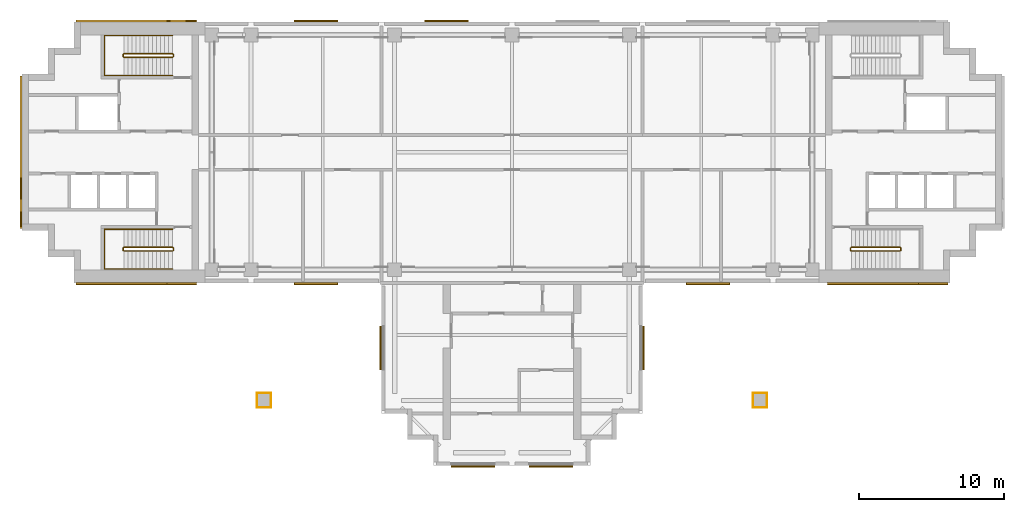
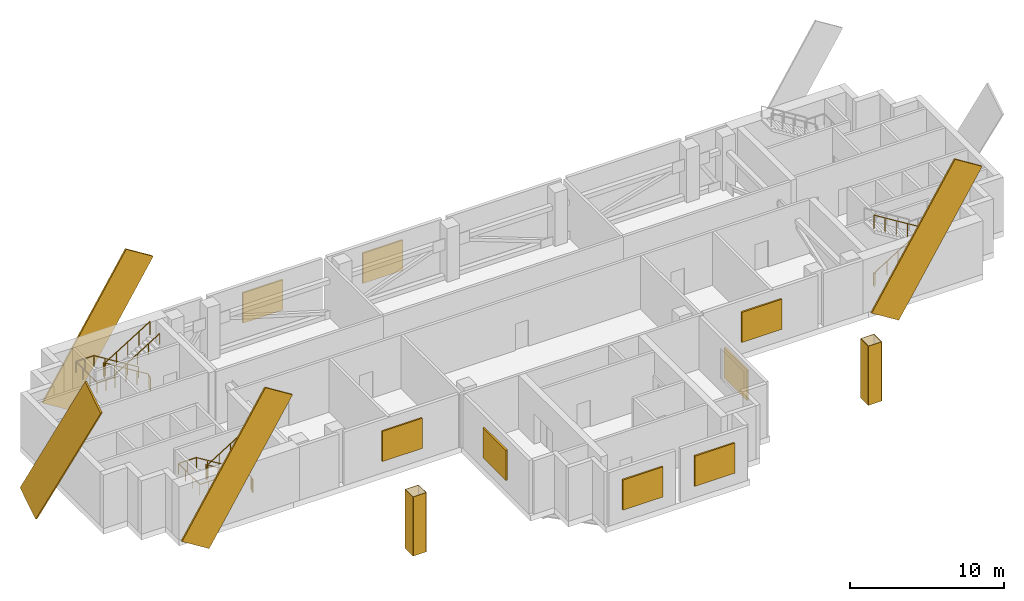
# One storey, part 7 of 8: 12 coverings, 8 shading devices, 5 railings.
"""IFC4 building model written with IfcOpenShell, lengths in metres."""

from ifc_helpers import new_model, si_unit, direction, frame, origin, origin_2d, place, context, subcontext, project, spatial, rectangle, extrude, material, layer, layer_set, material_profile, profile_set, type_object, element, save


model = new_model("IFC4")

# Units and contexts
model_context = context("Model", 3, precision=1e-05, world=origin(), true_north=direction((0.0, 1.0)))
body_context = subcontext(model_context, "Body", "Model", "MODEL_VIEW")
ifc_project = project(units=[si_unit("LENGTHUNIT", "METRE"), si_unit("AREAUNIT", "SQUARE_METRE"), si_unit("VOLUMEUNIT", "CUBIC_METRE"), si_unit("PLANEANGLEUNIT", "RADIAN"), si_unit("MASSUNIT", "GRAM", prefix="KILO")], contexts=[model_context])

# Site, building, storey
site_placement = place(None, origin())
site = spatial("IfcSite", under=ifc_project, at=site_placement, CompositionType="ELEMENT")
building_placement = place(site_placement, origin())
building = spatial("IfcBuilding", under=site, at=building_placement, Name="Perihelion Cross Residences", CompositionType="ELEMENT")
storey_placement = place(building_placement, frame((0.0, 0.0, 228.0)))
storey = spatial("IfcBuildingStorey", under=building, at=storey_placement, Name="L57", CompositionType="ELEMENT", Elevation=228.0)

# Coverings
ifc_material_1 = material(Name="Bronze anodised aluminium", Category="aluminium")
ifc_material_profile = material_profile(ifc_material_1, rectangle(XDim=0.125, YDim=2.39990234375, at=origin_2d()), Name="Bronze cladding band 2400")
ifc_profile_set = profile_set([ifc_material_profile], Name="Bronze anodised aluminium")
covering_type_1 = type_object("IfcCoveringType", Name="Bronze cladding band 2400", PredefinedType="CLADDING", material=ifc_profile_set)
for number, where, z_axis, x_axis, name in (
    (1, (22.767578125, -9.0625, -0.712646484375), (0.529915403603, 0.0, 0.848050508534), (0.0, 1.0, 0.0), "Core cladding band, east core"),
    (2, (-29.0322265625, 9.0625, -0.712646484375), (0.529915403603, 0.0, 0.848050508534), (0.0, 1.0, 0.0), "Core cladding band, west core"),
    (3, (-29.0322265625, -9.0625, -0.712646484375), (0.529915403603, 0.0, 0.848050508534), (0.0, 1.0, 0.0), "Core cladding band, west core"),
):
    element("IfcCovering", number, at=place(storey_placement, frame(where, z_axis=z_axis, x_axis=x_axis)), inside=storey, type_object=covering_type_1, Name=name, PredefinedType="CLADDING", context=body_context, shape_type="SweptSolid", body=[
        extrude(rectangle(XDim=0.125, YDim=2.39990234375, at=origin_2d()), origin(), (0.0, 0.0, 1.0), 11.822021484375),
    ])
covering_1_placement = place(storey_placement, frame((-33.862548828125, 4.232421875, -3.79248046875), z_axis=(0.0, -0.529931619435, 0.848040375644), x_axis=(1.0, 0.0, 0.0)))
element("IfcCovering", 4, at=covering_1_placement, inside=storey, type_object=covering_type_1, Name="Core cladding band, west core", PredefinedType="CLADDING", context=body_context, shape_type="SweptSolid", body=[
    extrude(rectangle(XDim=0.125, YDim=2.39990234375, at=origin_2d()), origin(), (0.0, 0.0, 1.0), 15.973388671875),
])
ifc_material_2 = material(Name="Bronze anodised aluminium", Category="aluminium")
ifc_layer_1 = layer(ifc_material_2, 0.0400390625)
ifc_layer_set_1 = layer_set([ifc_layer_1], Name="Bronze column casing 40")
covering_type_2 = type_object("IfcCoveringType", Name="Bronze column casing 40", PredefinedType="CLADDING", material=ifc_layer_set_1)
covering_2_placement = place(storey_placement, frame((-17.594970703125, -17.10009765625, -0.4501953125), z_axis=(0.0, 0.0, 1.0), x_axis=(1.0, 0.0, 0.0)))
element("IfcCovering", 5, at=covering_2_placement, inside=storey, type_object=covering_type_2, Name="Cladding CC1 L57 casing east-west no. 1", PredefinedType="CLADDING", context=body_context, shape_type="SweptSolid", body=[
    extrude(rectangle(XDim=0.0400390625, YDim=1.030029296875, at=origin_2d()), origin(), (0.0, 0.0, 1.0), 4.699951171875),
])
covering_3_placement = place(storey_placement, frame((-17.10009765625, -17.594970703125, -0.4501953125), z_axis=(0.0, 0.0, 1.0), x_axis=(1.0, 0.0, 0.0)))
element("IfcCovering", 6, at=covering_3_placement, inside=storey, type_object=covering_type_2, Name="Cladding CC1 L57 casing north-south no. 1", PredefinedType="CLADDING", context=body_context, shape_type="SweptSolid", body=[
    extrude(rectangle(XDim=0.949951171875, YDim=0.0400390625, at=origin_2d()), origin(), (0.0, 0.0, 1.0), 4.699951171875),
])
covering_4_placement = place(storey_placement, frame((-16.60498046875, -17.10009765625, -0.4501953125), z_axis=(0.0, 0.0, 1.0), x_axis=(1.0, 0.0, 0.0)))
element("IfcCovering", 7, at=covering_4_placement, inside=storey, type_object=covering_type_2, Name="Cladding CC1 L57 casing inner east-west no. 1", PredefinedType="CLADDING", context=body_context, shape_type="SweptSolid", body=[
    extrude(rectangle(XDim=0.0400390625, YDim=1.030029296875, at=origin_2d()), origin(), (0.0, 0.0, 1.0), 4.699951171875),
])
covering_5_placement = place(storey_placement, frame((-17.10009765625, -16.60498046875, -0.4501953125), z_axis=(0.0, 0.0, 1.0), x_axis=(1.0, 0.0, 0.0)))
element("IfcCovering", 8, at=covering_5_placement, inside=storey, type_object=covering_type_2, Name="Cladding CC1 L57 casing inner north-south no. 1", PredefinedType="CLADDING", context=body_context, shape_type="SweptSolid", body=[
    extrude(rectangle(XDim=0.949951171875, YDim=0.0400390625, at=origin_2d()), origin(), (0.0, 0.0, 1.0), 4.699951171875),
])
covering_6_placement = place(storey_placement, frame((17.594970703125, -17.10009765625, -0.4501953125), z_axis=(0.0, 0.0, 1.0), x_axis=(1.0, 0.0, 0.0)))
element("IfcCovering", 9, at=covering_6_placement, inside=storey, type_object=covering_type_2, Name="Cladding CC1 L57 casing east-west no. 2", PredefinedType="CLADDING", context=body_context, shape_type="SweptSolid", body=[
    extrude(rectangle(XDim=0.0400390625, YDim=1.030029296875, at=origin_2d()), origin(), (0.0, 0.0, 1.0), 4.699951171875),
])
covering_7_placement = place(storey_placement, frame((17.10009765625, -17.594970703125, -0.4501953125), z_axis=(0.0, 0.0, 1.0), x_axis=(1.0, 0.0, 0.0)))
element("IfcCovering", 10, at=covering_7_placement, inside=storey, type_object=covering_type_2, Name="Cladding CC1 L57 casing north-south no. 2", PredefinedType="CLADDING", context=body_context, shape_type="SweptSolid", body=[
    extrude(rectangle(XDim=0.949951171875, YDim=0.0400390625, at=origin_2d()), origin(), (0.0, 0.0, 1.0), 4.699951171875),
])
covering_8_placement = place(storey_placement, frame((16.60498046875, -17.10009765625, -0.4501953125), z_axis=(0.0, 0.0, 1.0), x_axis=(1.0, 0.0, 0.0)))
element("IfcCovering", 11, at=covering_8_placement, inside=storey, type_object=covering_type_2, Name="Cladding CC1 L57 casing inner east-west no. 2", PredefinedType="CLADDING", context=body_context, shape_type="SweptSolid", body=[
    extrude(rectangle(XDim=0.0400390625, YDim=1.030029296875, at=origin_2d()), origin(), (0.0, 0.0, 1.0), 4.699951171875),
])
covering_9_placement = place(storey_placement, frame((17.10009765625, -16.60498046875, -0.4501953125), z_axis=(0.0, 0.0, 1.0), x_axis=(1.0, 0.0, 0.0)))
element("IfcCovering", 12, at=covering_9_placement, inside=storey, type_object=covering_type_2, Name="Cladding CC1 L57 casing inner north-south no. 2", PredefinedType="CLADDING", context=body_context, shape_type="SweptSolid", body=[
    extrude(rectangle(XDim=0.949951171875, YDim=0.0400390625, at=origin_2d()), origin(), (0.0, 0.0, 1.0), 4.699951171875),
])

# Shading devices
ifc_material_3 = material(Name="Bronze anodised aluminium", Category="aluminium")
ifc_layer_2 = layer(ifc_material_3, 0.1201171875)
ifc_layer_set_2 = layer_set([ifc_layer_2], Name="Louvre panel")
shading_device_type = type_object("IfcShadingDeviceType", Name="Louvre panel", PredefinedType="USERDEFINED", material=ifc_layer_set_2)
for number, where, z_axis, x_axis, name in (
    (13, (-4.5, 9.06005859375, 1.0), (0.0, 0.0, 1.0), (-1.0, 0.0, 0.0), "Louvre LV1 L57 north side east bay 2"),
    (14, (-13.5, 9.06005859375, 1.0), (0.0, 0.0, 1.0), (-1.0, 0.0, 0.0), "Louvre LV1 L57 west side north bay 1"),
    (15, (-13.5, -9.06005859375, 1.0), (0.0, 0.0, 1.0), (1.0, 0.0, 0.0), "Louvre LV1 L57 west side south bay 2"),
    (16, (-9.06005859375, -13.5, 1.0), (0.0, 0.0, 1.0), (0.0, -1.0, 0.0), "Louvre LV1 L57 south side west bay 1"),
    (17, (-2.699951171875, -21.659912109375, 1.0), (0.0, 0.0, 1.0), (1.0, 0.0, 0.0), "Louvre LV1 L57 south tip south bay 1"),
    (18, (2.699951171875, -21.659912109375, 1.0), (0.0, 0.0, 1.0), (1.0, 0.0, 0.0), "Louvre LV1 L57 south tip south bay 2"),
    (19, (9.06005859375, -13.5, 1.0), (0.0, 0.0, 1.0), (0.0, 1.0, 0.0), "Louvre LV1 L57 south side east bay 1"),
    (20, (13.5, -9.06005859375, 1.0), (0.0, 0.0, 1.0), (1.0, 0.0, 0.0), "Louvre LV1 L57 east side south bay 1"),
):
    element("IfcShadingDevice", number, at=place(storey_placement, frame(where, z_axis=z_axis, x_axis=x_axis)), inside=storey, type_object=shading_device_type, Name=name, ObjectType="LOUVRE", PredefinedType="USERDEFINED", context=body_context, shape_type="SweptSolid", body=[
        extrude(rectangle(XDim=3.0, YDim=0.1201171875, at=origin_2d()), origin(), (0.0, 0.0, 1.0), 2.39990234375),
    ])

# Railings
ifc_material_4 = material(Name="Stainless steel", Category="steel")
railing_type_1 = type_object("IfcRailingType", Name="Stair guard 1100", PredefinedType="GUARDRAIL", material=ifc_material_4)
railing_1_placement = place(storey_placement, frame((23.35009765625, -6.60009765625, 0.0)))
element("IfcRailing", 21, at=railing_1_placement, inside=storey, type_object=railing_type_1, Name="L57 ST-E2 stair guard 1", PredefinedType="GUARDRAIL", context=body_context, shape_type="SweptSolid", body=[
    extrude(rectangle(XDim=0.048095703125, YDim=0.048095703125, at=origin_2d()), frame((0.0, 0.0, 1.076171875), z_axis=(0.0, -1.0, 0.0), x_axis=(1.0, 0.0, 0.0)), (0.0, 0.0, 1.0), 0.14990234375),
    extrude(rectangle(XDim=0.048095703125, YDim=0.048095703125, at=origin_2d()), frame((0.0, -0.14990234375, 1.076171875), z_axis=(0.266417085129, -0.267723051232, 0.925929967433), x_axis=(0.708833529934, 0.705375805398, 0.0)), (0.0, 0.0, 1.0), 0.18701171875),
    extrude(rectangle(XDim=0.048095703125, YDim=0.048095703125, at=origin_2d()), frame((0.0498046875, -0.199951171875, 1.2490234375), z_axis=(0.850623216509, 0.0, 0.525775754039), x_axis=(0.0, 1.0, 0.0)), (0.0, 0.0, 1.0), 3.9501953125),
    extrude(rectangle(XDim=0.048095703125, YDim=0.048095703125, at=origin_2d()), frame((3.409912109375, -0.199951171875, 3.326171875), z_axis=(0.707106781187, 0.707106781187, 0.0), x_axis=(-0.707106781187, 0.707106781187, 0.0)), (0.0, 0.0, 1.0), 0.07080078125),
    extrude(rectangle(XDim=0.048095703125, YDim=0.048095703125, at=origin_2d()), frame((3.4599609375, -0.14990234375, 3.326171875), z_axis=(0.0, 1.0, 0.0), x_axis=(-1.0, 0.0, 0.0)), (0.0, 0.0, 1.0), 0.14990234375),
    extrude(rectangle(XDim=0.048095703125, YDim=0.048095703125, at=origin_2d()), frame((3.4599609375, 0.0, 3.326171875), z_axis=(-0.267629722418, 0.267629722418, 0.925607186314), x_axis=(-0.707106781187, -0.707106781187, 0.0)), (0.0, 0.0, 1.0), 0.18701171875),
    extrude(rectangle(XDim=0.048095703125, YDim=0.048095703125, at=origin_2d()), frame((3.409912109375, 0.050048828125, 3.4990234375), z_axis=(-0.850623216509, 0.0, 0.525775754039), x_axis=(0.0, -1.0, 0.0)), (0.0, 0.0, 1.0), 3.9501953125),
    extrude(rectangle(XDim=0.0419921875, YDim=0.0419921875, at=origin_2d()), origin(), (0.0, 0.0, 1.0), 1.052001953125),
    extrude(rectangle(XDim=0.0419921875, YDim=0.0419921875, at=origin_2d()), frame((0.0, -0.14990234375, 0.0)), (0.0, 0.0, 1.0), 1.052001953125),
    extrude(rectangle(XDim=0.0419921875, YDim=0.0419921875, at=origin_2d()), frame((0.0498046875, -0.199951171875, 0.173095703125)), (0.0, 0.0, 1.0), 1.052001953125),
    extrude(rectangle(XDim=0.0419921875, YDim=0.0419921875, at=origin_2d()), frame((0.889892578125, -0.199951171875, 0.6923828125)), (0.0, 0.0, 1.0), 1.052001953125),
    extrude(rectangle(XDim=0.0419921875, YDim=0.0419921875, at=origin_2d()), frame((1.72998046875, -0.199951171875, 1.21142578125)), (0.0, 0.0, 1.0), 1.052001953125),
    extrude(rectangle(XDim=0.0419921875, YDim=0.0419921875, at=origin_2d()), frame((2.56982421875, -0.199951171875, 1.730712890625)), (0.0, 0.0, 1.0), 1.052001953125),
    extrude(rectangle(XDim=0.0419921875, YDim=0.0419921875, at=origin_2d()), frame((3.409912109375, -0.199951171875, 2.25)), (0.0, 0.0, 1.0), 1.052001953125),
    extrude(rectangle(XDim=0.0419921875, YDim=0.0419921875, at=origin_2d()), frame((3.4599609375, -0.14990234375, 2.25)), (0.0, 0.0, 1.0), 1.052001953125),
    extrude(rectangle(XDim=0.0419921875, YDim=0.0419921875, at=origin_2d()), frame((3.4599609375, 0.0, 2.25)), (0.0, 0.0, 1.0), 1.052001953125),
    extrude(rectangle(XDim=0.0419921875, YDim=0.0419921875, at=origin_2d()), frame((3.409912109375, 0.050048828125, 2.423095703125)), (0.0, 0.0, 1.0), 1.052001953125),
    extrude(rectangle(XDim=0.0419921875, YDim=0.0419921875, at=origin_2d()), frame((2.56982421875, 0.050048828125, 2.9423828125)), (0.0, 0.0, 1.0), 1.052001953125),
    extrude(rectangle(XDim=0.0419921875, YDim=0.0419921875, at=origin_2d()), frame((1.72998046875, 0.050048828125, 3.46142578125)), (0.0, 0.0, 1.0), 1.052001953125),
    extrude(rectangle(XDim=0.0419921875, YDim=0.0419921875, at=origin_2d()), frame((0.889892578125, 0.050048828125, 3.980712890625)), (0.0, 0.0, 1.0), 1.052001953125),
    extrude(rectangle(XDim=0.0419921875, YDim=0.0419921875, at=origin_2d()), frame((0.0498046875, 0.050048828125, 4.5)), (0.0, 0.0, 1.0), 1.052001953125),
])
railing_2_placement = place(storey_placement, frame((-23.35009765625, 6.60009765625, 0.0)))
element("IfcRailing", 22, at=railing_2_placement, inside=storey, type_object=railing_type_1, Name="L57 ST-W1 stair guard 1", PredefinedType="GUARDRAIL", context=body_context, shape_type="SweptSolid", body=[
    extrude(rectangle(XDim=0.048095703125, YDim=0.048095703125, at=origin_2d()), frame((0.0, 0.0, 1.076171875), z_axis=(0.0, 1.0, 0.0), x_axis=(-1.0, 0.0, 0.0)), (0.0, 0.0, 1.0), 0.14990234375),
    extrude(rectangle(XDim=0.048095703125, YDim=0.048095703125, at=origin_2d()), frame((0.0, 0.14990234375, 1.076171875), z_axis=(-0.266417085129, 0.267723051232, 0.925929967433), x_axis=(-0.708833529934, -0.705375805398, 0.0)), (0.0, 0.0, 1.0), 0.18701171875),
    extrude(rectangle(XDim=0.048095703125, YDim=0.048095703125, at=origin_2d()), frame((-0.0498046875, 0.199951171875, 1.2490234375), z_axis=(-0.850623216509, 0.0, 0.525775754039), x_axis=(0.0, -1.0, 0.0)), (0.0, 0.0, 1.0), 3.9501953125),
    extrude(rectangle(XDim=0.048095703125, YDim=0.048095703125, at=origin_2d()), frame((-3.409912109375, 0.199951171875, 3.326171875), z_axis=(-0.707106781187, -0.707106781187, 0.0), x_axis=(0.707106781187, -0.707106781187, 0.0)), (0.0, 0.0, 1.0), 0.07080078125),
    extrude(rectangle(XDim=0.048095703125, YDim=0.048095703125, at=origin_2d()), frame((-3.4599609375, 0.14990234375, 3.326171875), z_axis=(0.0, -1.0, 0.0), x_axis=(1.0, 0.0, 0.0)), (0.0, 0.0, 1.0), 0.14990234375),
    extrude(rectangle(XDim=0.048095703125, YDim=0.048095703125, at=origin_2d()), frame((-3.4599609375, 0.0, 3.326171875), z_axis=(0.267629722418, -0.267629722418, 0.925607186314), x_axis=(0.707106781187, 0.707106781187, 0.0)), (0.0, 0.0, 1.0), 0.18701171875),
    extrude(rectangle(XDim=0.048095703125, YDim=0.048095703125, at=origin_2d()), frame((-3.409912109375, -0.050048828125, 3.4990234375), z_axis=(0.850623216509, 0.0, 0.525775754039), x_axis=(0.0, 1.0, 0.0)), (0.0, 0.0, 1.0), 3.9501953125),
    extrude(rectangle(XDim=0.0419921875, YDim=0.0419921875, at=origin_2d()), origin(), (0.0, 0.0, 1.0), 1.052001953125),
    extrude(rectangle(XDim=0.0419921875, YDim=0.0419921875, at=origin_2d()), frame((0.0, 0.14990234375, 0.0)), (0.0, 0.0, 1.0), 1.052001953125),
    extrude(rectangle(XDim=0.0419921875, YDim=0.0419921875, at=origin_2d()), frame((-0.0498046875, 0.199951171875, 0.173095703125)), (0.0, 0.0, 1.0), 1.052001953125),
    extrude(rectangle(XDim=0.0419921875, YDim=0.0419921875, at=origin_2d()), frame((-0.889892578125, 0.199951171875, 0.6923828125)), (0.0, 0.0, 1.0), 1.052001953125),
    extrude(rectangle(XDim=0.0419921875, YDim=0.0419921875, at=origin_2d()), frame((-1.72998046875, 0.199951171875, 1.21142578125)), (0.0, 0.0, 1.0), 1.052001953125),
    extrude(rectangle(XDim=0.0419921875, YDim=0.0419921875, at=origin_2d()), frame((-2.56982421875, 0.199951171875, 1.730712890625)), (0.0, 0.0, 1.0), 1.052001953125),
    extrude(rectangle(XDim=0.0419921875, YDim=0.0419921875, at=origin_2d()), frame((-3.409912109375, 0.199951171875, 2.25)), (0.0, 0.0, 1.0), 1.052001953125),
    extrude(rectangle(XDim=0.0419921875, YDim=0.0419921875, at=origin_2d()), frame((-3.4599609375, 0.14990234375, 2.25)), (0.0, 0.0, 1.0), 1.052001953125),
    extrude(rectangle(XDim=0.0419921875, YDim=0.0419921875, at=origin_2d()), frame((-3.4599609375, 0.0, 2.25)), (0.0, 0.0, 1.0), 1.052001953125),
    extrude(rectangle(XDim=0.0419921875, YDim=0.0419921875, at=origin_2d()), frame((-3.409912109375, -0.050048828125, 2.423095703125)), (0.0, 0.0, 1.0), 1.052001953125),
    extrude(rectangle(XDim=0.0419921875, YDim=0.0419921875, at=origin_2d()), frame((-2.56982421875, -0.050048828125, 2.9423828125)), (0.0, 0.0, 1.0), 1.052001953125),
    extrude(rectangle(XDim=0.0419921875, YDim=0.0419921875, at=origin_2d()), frame((-1.72998046875, -0.050048828125, 3.46142578125)), (0.0, 0.0, 1.0), 1.052001953125),
    extrude(rectangle(XDim=0.0419921875, YDim=0.0419921875, at=origin_2d()), frame((-0.889892578125, -0.050048828125, 3.980712890625)), (0.0, 0.0, 1.0), 1.052001953125),
    extrude(rectangle(XDim=0.0419921875, YDim=0.0419921875, at=origin_2d()), frame((-0.0498046875, -0.050048828125, 4.5)), (0.0, 0.0, 1.0), 1.052001953125),
])
railing_3_placement = place(storey_placement, frame((-23.35009765625, -6.75, 0.0)))
element("IfcRailing", 23, at=railing_3_placement, inside=storey, type_object=railing_type_1, Name="L57 ST-W2 stair guard 1", PredefinedType="GUARDRAIL", context=body_context, shape_type="SweptSolid", body=[
    extrude(rectangle(XDim=0.048095703125, YDim=0.048095703125, at=origin_2d()), frame((0.0, 0.0, 1.076171875), z_axis=(0.0, 1.0, 0.0), x_axis=(-1.0, 0.0, 0.0)), (0.0, 0.0, 1.0), 0.14990234375),
    extrude(rectangle(XDim=0.048095703125, YDim=0.048095703125, at=origin_2d()), frame((0.0, 0.14990234375, 1.076171875), z_axis=(-0.266417085129, 0.267723051232, 0.925929967433), x_axis=(-0.708833529934, -0.705375805398, 0.0)), (0.0, 0.0, 1.0), 0.18701171875),
    extrude(rectangle(XDim=0.048095703125, YDim=0.048095703125, at=origin_2d()), frame((-0.0498046875, 0.199951171875, 1.2490234375), z_axis=(-0.850623216509, 0.0, 0.525775754039), x_axis=(0.0, -1.0, 0.0)), (0.0, 0.0, 1.0), 3.9501953125),
    extrude(rectangle(XDim=0.048095703125, YDim=0.048095703125, at=origin_2d()), frame((-3.409912109375, 0.199951171875, 3.326171875), z_axis=(-0.707106781187, -0.707106781187, 0.0), x_axis=(0.707106781187, -0.707106781187, 0.0)), (0.0, 0.0, 1.0), 0.07080078125),
    extrude(rectangle(XDim=0.048095703125, YDim=0.048095703125, at=origin_2d()), frame((-3.4599609375, 0.14990234375, 3.326171875), z_axis=(0.0, -1.0, 0.0), x_axis=(1.0, 0.0, 0.0)), (0.0, 0.0, 1.0), 0.14990234375),
    extrude(rectangle(XDim=0.048095703125, YDim=0.048095703125, at=origin_2d()), frame((-3.4599609375, 0.0, 3.326171875), z_axis=(0.267629722418, -0.267629722418, 0.925607186314), x_axis=(0.707106781187, 0.707106781187, 0.0)), (0.0, 0.0, 1.0), 0.18701171875),
    extrude(rectangle(XDim=0.048095703125, YDim=0.048095703125, at=origin_2d()), frame((-3.409912109375, -0.050048828125, 3.4990234375), z_axis=(0.850623216509, 0.0, 0.525775754039), x_axis=(0.0, 1.0, 0.0)), (0.0, 0.0, 1.0), 3.9501953125),
    extrude(rectangle(XDim=0.0419921875, YDim=0.0419921875, at=origin_2d()), origin(), (0.0, 0.0, 1.0), 1.052001953125),
    extrude(rectangle(XDim=0.0419921875, YDim=0.0419921875, at=origin_2d()), frame((0.0, 0.14990234375, 0.0)), (0.0, 0.0, 1.0), 1.052001953125),
    extrude(rectangle(XDim=0.0419921875, YDim=0.0419921875, at=origin_2d()), frame((-0.0498046875, 0.199951171875, 0.173095703125)), (0.0, 0.0, 1.0), 1.052001953125),
    extrude(rectangle(XDim=0.0419921875, YDim=0.0419921875, at=origin_2d()), frame((-0.889892578125, 0.199951171875, 0.6923828125)), (0.0, 0.0, 1.0), 1.052001953125),
    extrude(rectangle(XDim=0.0419921875, YDim=0.0419921875, at=origin_2d()), frame((-1.72998046875, 0.199951171875, 1.21142578125)), (0.0, 0.0, 1.0), 1.052001953125),
    extrude(rectangle(XDim=0.0419921875, YDim=0.0419921875, at=origin_2d()), frame((-2.56982421875, 0.199951171875, 1.730712890625)), (0.0, 0.0, 1.0), 1.052001953125),
    extrude(rectangle(XDim=0.0419921875, YDim=0.0419921875, at=origin_2d()), frame((-3.409912109375, 0.199951171875, 2.25)), (0.0, 0.0, 1.0), 1.052001953125),
    extrude(rectangle(XDim=0.0419921875, YDim=0.0419921875, at=origin_2d()), frame((-3.4599609375, 0.14990234375, 2.25)), (0.0, 0.0, 1.0), 1.052001953125),
    extrude(rectangle(XDim=0.0419921875, YDim=0.0419921875, at=origin_2d()), frame((-3.4599609375, 0.0, 2.25)), (0.0, 0.0, 1.0), 1.052001953125),
    extrude(rectangle(XDim=0.0419921875, YDim=0.0419921875, at=origin_2d()), frame((-3.409912109375, -0.050048828125, 2.423095703125)), (0.0, 0.0, 1.0), 1.052001953125),
    extrude(rectangle(XDim=0.0419921875, YDim=0.0419921875, at=origin_2d()), frame((-2.56982421875, -0.050048828125, 2.9423828125)), (0.0, 0.0, 1.0), 1.052001953125),
    extrude(rectangle(XDim=0.0419921875, YDim=0.0419921875, at=origin_2d()), frame((-1.72998046875, -0.050048828125, 3.46142578125)), (0.0, 0.0, 1.0), 1.052001953125),
    extrude(rectangle(XDim=0.0419921875, YDim=0.0419921875, at=origin_2d()), frame((-0.889892578125, -0.050048828125, 3.980712890625)), (0.0, 0.0, 1.0), 1.052001953125),
    extrude(rectangle(XDim=0.0419921875, YDim=0.0419921875, at=origin_2d()), frame((-0.0498046875, -0.050048828125, 4.5)), (0.0, 0.0, 1.0), 1.052001953125),
])
ifc_material_5 = material(Name="Stainless steel", Category="steel")
railing_type_2 = type_object("IfcRailingType", Name="Stair handrail 900", PredefinedType="HANDRAIL", material=ifc_material_5)
railing_4_placement = place(storey_placement, frame((-23.39990234375, 8.050048828125, 0.173095703125)))
element("IfcRailing", 24, at=railing_4_placement, inside=storey, type_object=railing_type_2, Name="L57 ST-W1 stair handrail 1", PredefinedType="HANDRAIL", context=body_context, shape_type="SweptSolid", body=[
    extrude(rectangle(XDim=0.048095703125, YDim=0.048095703125, at=origin_2d()), frame((0.0, 0.0, 0.8759765625), z_axis=(-0.850623216509, 0.0, 0.525775754039), x_axis=(0.0, -1.0, 0.0)), (0.0, 0.0, 1.0), 3.9501953125),
    extrude(rectangle(XDim=0.048095703125, YDim=0.048095703125, at=origin_2d()), frame((-3.360107421875, 0.0, 2.95263671875), z_axis=(-1.0, 0.0, 0.0), x_axis=(0.0, -1.0, 0.0)), (0.0, 0.0, 1.0), 1.340087890625),
    extrude(rectangle(XDim=0.048095703125, YDim=0.048095703125, at=origin_2d()), frame((-4.7001953125, 0.0, 2.95263671875), z_axis=(0.0, -1.0, 0.0), x_axis=(1.0, 0.0, 0.0)), (0.0, 0.0, 1.0), 2.75),
    extrude(rectangle(XDim=0.048095703125, YDim=0.048095703125, at=origin_2d()), frame((-4.7001953125, -2.75, 2.95263671875), z_axis=(1.0, 0.0, 0.0), x_axis=(0.0, 1.0, 0.0)), (0.0, 0.0, 1.0), 1.340087890625),
    extrude(rectangle(XDim=0.048095703125, YDim=0.048095703125, at=origin_2d()), frame((-3.360107421875, -2.75, 2.95263671875), z_axis=(0.0, 0.0, 1.0), x_axis=(1.0, 0.0, 0.0)), (0.0, 0.0, 1.0), 0.173095703125),
    extrude(rectangle(XDim=0.048095703125, YDim=0.048095703125, at=origin_2d()), frame((-3.360107421875, -2.75, 3.1259765625), z_axis=(0.850623216509, 0.0, 0.525775754039), x_axis=(0.0, 1.0, 0.0)), (0.0, 0.0, 1.0), 3.9501953125),
    extrude(rectangle(XDim=0.0419921875, YDim=0.0419921875, at=origin_2d()), origin(), (0.0, 0.0, 1.0), 0.851806640625),
    extrude(rectangle(XDim=0.0419921875, YDim=0.0419921875, at=origin_2d()), frame((-0.840087890625, 0.0, 0.519287109375)), (0.0, 0.0, 1.0), 0.851806640625),
    extrude(rectangle(XDim=0.0419921875, YDim=0.0419921875, at=origin_2d()), frame((-1.68017578125, 0.0, 1.03857421875)), (0.0, 0.0, 1.0), 0.851806640625),
    extrude(rectangle(XDim=0.0419921875, YDim=0.0419921875, at=origin_2d()), frame((-2.52001953125, 0.0, 1.5576171875)), (0.0, 0.0, 1.0), 0.851806640625),
    extrude(rectangle(XDim=0.0419921875, YDim=0.0419921875, at=origin_2d()), frame((-3.360107421875, 0.0, 2.076904296875)), (0.0, 0.0, 1.0), 0.851806640625),
    extrude(rectangle(XDim=0.0419921875, YDim=0.0419921875, at=origin_2d()), frame((-4.0302734375, 0.0, 2.076904296875)), (0.0, 0.0, 1.0), 0.851806640625),
    extrude(rectangle(XDim=0.0419921875, YDim=0.0419921875, at=origin_2d()), frame((-4.7001953125, 0.0, 2.076904296875)), (0.0, 0.0, 1.0), 0.851806640625),
    extrude(rectangle(XDim=0.0419921875, YDim=0.0419921875, at=origin_2d()), frame((-4.7001953125, -0.916748046875, 2.076904296875)), (0.0, 0.0, 1.0), 0.851806640625),
    extrude(rectangle(XDim=0.0419921875, YDim=0.0419921875, at=origin_2d()), frame((-4.7001953125, -1.833251953125, 2.076904296875)), (0.0, 0.0, 1.0), 0.851806640625),
    extrude(rectangle(XDim=0.0419921875, YDim=0.0419921875, at=origin_2d()), frame((-4.7001953125, -2.75, 2.076904296875)), (0.0, 0.0, 1.0), 0.851806640625),
    extrude(rectangle(XDim=0.0419921875, YDim=0.0419921875, at=origin_2d()), frame((-4.0302734375, -2.75, 2.076904296875)), (0.0, 0.0, 1.0), 0.851806640625),
    extrude(rectangle(XDim=0.0419921875, YDim=0.0419921875, at=origin_2d()), frame((-3.360107421875, -2.75, 2.076904296875)), (0.0, 0.0, 1.0), 0.851806640625),
    extrude(rectangle(XDim=0.0419921875, YDim=0.0419921875, at=origin_2d()), frame((-3.360107421875, -2.75, 2.25)), (0.0, 0.0, 1.0), 0.851806640625),
    extrude(rectangle(XDim=0.0419921875, YDim=0.0419921875, at=origin_2d()), frame((-2.52001953125, -2.75, 2.769287109375)), (0.0, 0.0, 1.0), 0.851806640625),
    extrude(rectangle(XDim=0.0419921875, YDim=0.0419921875, at=origin_2d()), frame((-1.68017578125, -2.75, 3.28857421875)), (0.0, 0.0, 1.0), 0.851806640625),
    extrude(rectangle(XDim=0.0419921875, YDim=0.0419921875, at=origin_2d()), frame((-0.840087890625, -2.75, 3.8076171875)), (0.0, 0.0, 1.0), 0.851806640625),
    extrude(rectangle(XDim=0.0419921875, YDim=0.0419921875, at=origin_2d()), frame((0.0, -2.75, 4.326904296875)), (0.0, 0.0, 1.0), 0.851806640625),
])
railing_5_placement = place(storey_placement, frame((-23.39990234375, -5.300048828125, 0.173095703125)))
element("IfcRailing", 25, at=railing_5_placement, inside=storey, type_object=railing_type_2, Name="L57 ST-W2 stair handrail 1", PredefinedType="HANDRAIL", context=body_context, shape_type="SweptSolid", body=[
    extrude(rectangle(XDim=0.048095703125, YDim=0.048095703125, at=origin_2d()), frame((0.0, 0.0, 0.8759765625), z_axis=(-0.850623216509, 0.0, 0.525775754039), x_axis=(0.0, -1.0, 0.0)), (0.0, 0.0, 1.0), 3.9501953125),
    extrude(rectangle(XDim=0.048095703125, YDim=0.048095703125, at=origin_2d()), frame((-3.360107421875, 0.0, 2.95263671875), z_axis=(-1.0, 0.0, 0.0), x_axis=(0.0, -1.0, 0.0)), (0.0, 0.0, 1.0), 1.340087890625),
    extrude(rectangle(XDim=0.048095703125, YDim=0.048095703125, at=origin_2d()), frame((-4.7001953125, 0.0, 2.95263671875), z_axis=(0.0, -1.0, 0.0), x_axis=(1.0, 0.0, 0.0)), (0.0, 0.0, 1.0), 2.75),
    extrude(rectangle(XDim=0.048095703125, YDim=0.048095703125, at=origin_2d()), frame((-4.7001953125, -2.75, 2.95263671875), z_axis=(1.0, 0.0, 0.0), x_axis=(0.0, 1.0, 0.0)), (0.0, 0.0, 1.0), 1.340087890625),
    extrude(rectangle(XDim=0.048095703125, YDim=0.048095703125, at=origin_2d()), frame((-3.360107421875, -2.75, 2.95263671875), z_axis=(0.0, 0.0, 1.0), x_axis=(1.0, 0.0, 0.0)), (0.0, 0.0, 1.0), 0.173095703125),
    extrude(rectangle(XDim=0.048095703125, YDim=0.048095703125, at=origin_2d()), frame((-3.360107421875, -2.75, 3.1259765625), z_axis=(0.850623216509, 0.0, 0.525775754039), x_axis=(0.0, 1.0, 0.0)), (0.0, 0.0, 1.0), 3.9501953125),
    extrude(rectangle(XDim=0.0419921875, YDim=0.0419921875, at=origin_2d()), origin(), (0.0, 0.0, 1.0), 0.851806640625),
    extrude(rectangle(XDim=0.0419921875, YDim=0.0419921875, at=origin_2d()), frame((-0.840087890625, 0.0, 0.519287109375)), (0.0, 0.0, 1.0), 0.851806640625),
    extrude(rectangle(XDim=0.0419921875, YDim=0.0419921875, at=origin_2d()), frame((-1.68017578125, 0.0, 1.03857421875)), (0.0, 0.0, 1.0), 0.851806640625),
    extrude(rectangle(XDim=0.0419921875, YDim=0.0419921875, at=origin_2d()), frame((-2.52001953125, 0.0, 1.5576171875)), (0.0, 0.0, 1.0), 0.851806640625),
    extrude(rectangle(XDim=0.0419921875, YDim=0.0419921875, at=origin_2d()), frame((-3.360107421875, 0.0, 2.076904296875)), (0.0, 0.0, 1.0), 0.851806640625),
    extrude(rectangle(XDim=0.0419921875, YDim=0.0419921875, at=origin_2d()), frame((-4.0302734375, 0.0, 2.076904296875)), (0.0, 0.0, 1.0), 0.851806640625),
    extrude(rectangle(XDim=0.0419921875, YDim=0.0419921875, at=origin_2d()), frame((-4.7001953125, 0.0, 2.076904296875)), (0.0, 0.0, 1.0), 0.851806640625),
    extrude(rectangle(XDim=0.0419921875, YDim=0.0419921875, at=origin_2d()), frame((-4.7001953125, -0.916748046875, 2.076904296875)), (0.0, 0.0, 1.0), 0.851806640625),
    extrude(rectangle(XDim=0.0419921875, YDim=0.0419921875, at=origin_2d()), frame((-4.7001953125, -1.833251953125, 2.076904296875)), (0.0, 0.0, 1.0), 0.851806640625),
    extrude(rectangle(XDim=0.0419921875, YDim=0.0419921875, at=origin_2d()), frame((-4.7001953125, -2.75, 2.076904296875)), (0.0, 0.0, 1.0), 0.851806640625),
    extrude(rectangle(XDim=0.0419921875, YDim=0.0419921875, at=origin_2d()), frame((-4.0302734375, -2.75, 2.076904296875)), (0.0, 0.0, 1.0), 0.851806640625),
    extrude(rectangle(XDim=0.0419921875, YDim=0.0419921875, at=origin_2d()), frame((-3.360107421875, -2.75, 2.076904296875)), (0.0, 0.0, 1.0), 0.851806640625),
    extrude(rectangle(XDim=0.0419921875, YDim=0.0419921875, at=origin_2d()), frame((-3.360107421875, -2.75, 2.25)), (0.0, 0.0, 1.0), 0.851806640625),
    extrude(rectangle(XDim=0.0419921875, YDim=0.0419921875, at=origin_2d()), frame((-2.52001953125, -2.75, 2.769287109375)), (0.0, 0.0, 1.0), 0.851806640625),
    extrude(rectangle(XDim=0.0419921875, YDim=0.0419921875, at=origin_2d()), frame((-1.68017578125, -2.75, 3.28857421875)), (0.0, 0.0, 1.0), 0.851806640625),
    extrude(rectangle(XDim=0.0419921875, YDim=0.0419921875, at=origin_2d()), frame((-0.840087890625, -2.75, 3.8076171875)), (0.0, 0.0, 1.0), 0.851806640625),
    extrude(rectangle(XDim=0.0419921875, YDim=0.0419921875, at=origin_2d()), frame((0.0, -2.75, 4.326904296875)), (0.0, 0.0, 1.0), 0.851806640625),
])

save(model, "model.ifc")
